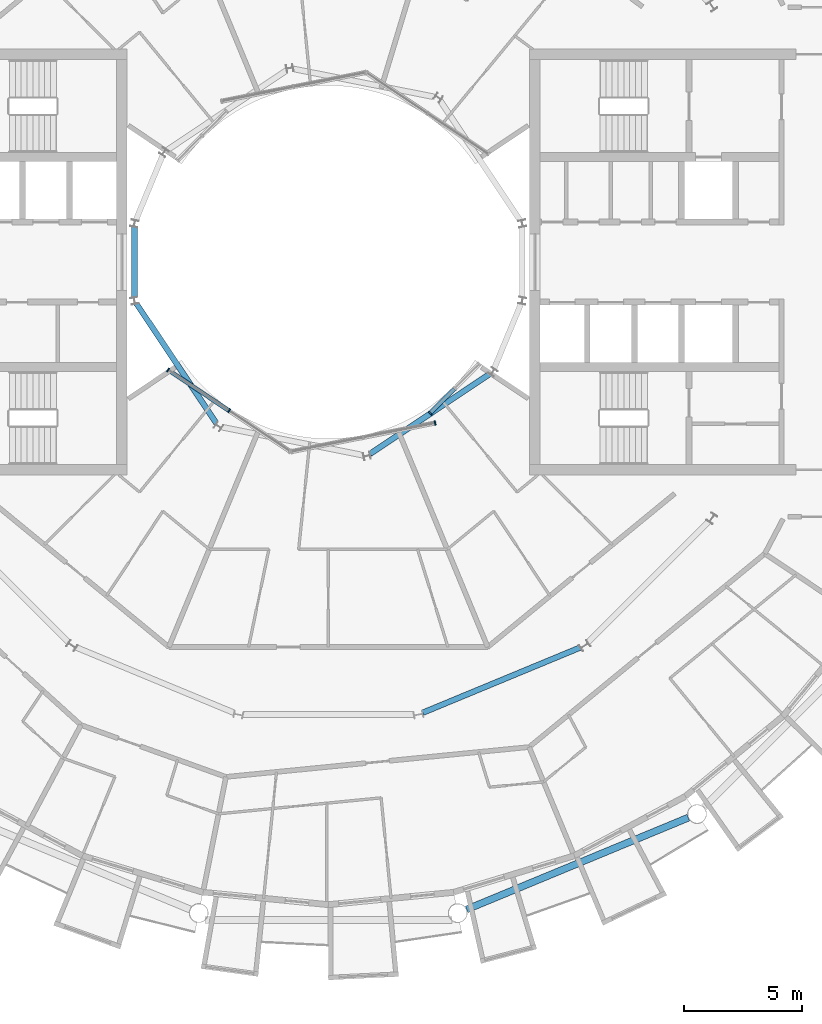
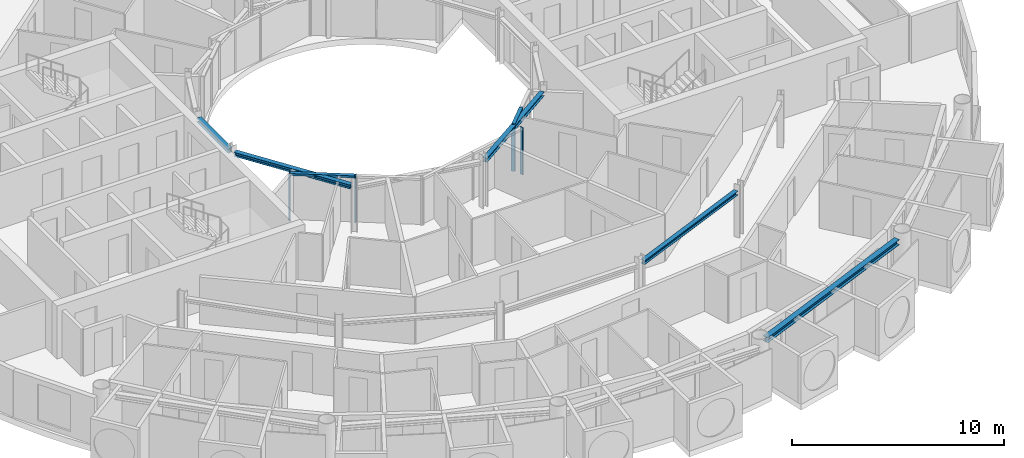
# One storey, part 7 of 29: 6 members, 5 beams, 3 elements without a shape of their own.
"""IFC4 building model written with IfcOpenShell, lengths in metres."""

import ifcopenshell
import ifcopenshell.guid

model = None  # the IFC model being written
_history = None  # IfcOwnerHistory: only IFC2X3 demands one
_inside = {}  # id of a spatial element -> (the spatial element, [elements in it])
_under = {}  # id of a project, library or spatial element -> (it, [spatial elements below it])
_declared = {}  # id of a project -> (the project, [libraries it declares])
_typed = {}  # id of a type object -> (the type object, [elements of that type])
_made_of = {}  # id of a material, layer set ... -> (it, [elements and type objects made of it])


def new_model(schema):
    """Start an empty IFC model of exactly this schema.

    Asked for "IFC4X3", IfcOpenShell would pick the latest addendum, in which some entities
    have other attributes; the version numbers below select the first issue.
    IFC2X3 requires an IfcOwnerHistory on every rooted entity: one is made here for all.
    """
    global model, _history
    if schema == "IFC4X3":
        model = ifcopenshell.file(schema_version=(4, 3, 0, 0))
    else:
        model = ifcopenshell.file(schema=schema)
    _inside.clear()
    _under.clear()
    _declared.clear()
    _typed.clear()
    _made_of.clear()
    _history = None
    if model.schema == "IFC2X3":
        org = make("IfcOrganization", Name="unknown")
        user = make(
            "IfcPersonAndOrganization",
            ThePerson=make("IfcPerson", FamilyName="unknown"),
            TheOrganization=org,
        )
        app = make(
            "IfcApplication",
            ApplicationDeveloper=org,
            Version="unknown",
            ApplicationFullName="unknown",
            ApplicationIdentifier="unknown",
        )
        _history = make(
            "IfcOwnerHistory",
            OwningUser=user,
            OwningApplication=app,
            ChangeAction="ADDED",
            CreationDate=0,
        )
    return model


def make(cls, **values):
    """One entity of the class cls with the attributes given. An attribute that is None is left unset."""
    return model.create_entity(
        cls, **{name: value for name, value in values.items() if value is not None}
    )


def rooted(cls, **values):
    """An entity with a GlobalId (a new one), such as an element, a storey or a relation."""
    return make(cls, GlobalId=ifcopenshell.guid.new(), OwnerHistory=_history, **values)


def si_unit(unit_type, name, prefix=None):
    """IfcSIUnit, for example si_unit("LENGTHUNIT", "METRE", prefix="MILLI")."""
    return make("IfcSIUnit", UnitType=unit_type, Prefix=prefix, Name=name)


def assignment(units):
    """IfcUnitAssignment: the units of a project."""
    return None if units is None else make("IfcUnitAssignment", Units=units)


def point(xyz):
    """IfcCartesianPoint."""
    return None if xyz is None else make("IfcCartesianPoint", Coordinates=xyz)


def direction(xyz):
    """IfcDirection."""
    return None if xyz is None else make("IfcDirection", DirectionRatios=xyz)


def frame(location, z_axis=None, x_axis=None):
    """IfcAxis2Placement3D, a coordinate frame: its origin and axes. An axis left out is left unset."""
    return make(
        "IfcAxis2Placement3D",
        Location=point(location),
        Axis=direction(z_axis),
        RefDirection=direction(x_axis),
    )


def frame_2d(location, x_axis=None):
    """IfcAxis2Placement2D, a coordinate frame in the plane: its origin and x axis."""
    return make(
        "IfcAxis2Placement2D", Location=point(location), RefDirection=direction(x_axis)
    )


def origin():
    """The frame at (0, 0, 0) with its axes left unset."""
    return frame((0.0, 0.0, 0.0))


def origin_2d():
    """The frame at (0, 0) in the plane with its x axis left unset."""
    return frame_2d((0.0, 0.0))


def place(relative_to, where):
    """IfcLocalPlacement: puts the frame where relative to a parent placement (None: the world)."""
    return make(
        "IfcLocalPlacement", PlacementRelTo=relative_to, RelativePlacement=where
    )


def context(
    kind, dimensions, precision=None, world=None, true_north=None, identifier=None
):
    """IfcGeometricRepresentationContext, for example the 3D "Model" context."""
    return make(
        "IfcGeometricRepresentationContext",
        ContextIdentifier=identifier,
        ContextType=kind,
        CoordinateSpaceDimension=dimensions,
        Precision=precision,
        WorldCoordinateSystem=world,
        TrueNorth=true_north,
    )


def subcontext(parent, identifier, kind, view, scale=None):
    """IfcGeometricRepresentationSubContext, for example "Body" below "Model"."""
    return make(
        "IfcGeometricRepresentationSubContext",
        ContextIdentifier=identifier,
        ContextType=kind,
        ParentContext=parent,
        TargetScale=scale,
        TargetView=view,
    )


def project(units=None, contexts=None):
    """IfcProject with its units and contexts."""
    return rooted(
        "IfcProject",
        Name="project",
        RepresentationContexts=contexts,
        UnitsInContext=assignment(units),
    )


def spatial(cls, under=None, at=None, **own):
    """A site, building, storey or space (cls), placed at a placement, below another one or the project."""
    s = rooted(cls, ObjectPlacement=at, **own)
    if under is not None:
        _under.setdefault(under.id(), (under, []))[1].append(s)
    return s


def profile(cls, at=None, kind="AREA", **sizes):
    """A parametric profile (cls). Its sizes go by their IFC names, for example OverallWidth=200.0."""
    return make(cls, ProfileType=kind, Position=at, **sizes)


def rectangle(**sizes):
    """IfcRectangleProfileDef."""
    return profile("IfcRectangleProfileDef", **sizes)


def i_section(**sizes):
    """IfcIShapeProfileDef."""
    return profile("IfcIShapeProfileDef", **sizes)


def extrude(swept, where, along, depth):
    """IfcExtrudedAreaSolid: the profile swept, set in the frame where, extruded along a direction by depth."""
    return make(
        "IfcExtrudedAreaSolid",
        SweptArea=swept,
        Position=where,
        ExtrudedDirection=direction(along),
        Depth=depth,
    )


def shape(context_of_items, identifier, shape_type, items):
    """IfcShapeRepresentation: the items that make up one representation, for example the "Body"."""
    return make(
        "IfcShapeRepresentation",
        ContextOfItems=context_of_items,
        RepresentationIdentifier=identifier,
        RepresentationType=shape_type,
        Items=items,
    )


def material(Name=None, Category=None):
    """IfcMaterial."""
    return make("IfcMaterial", Name=Name, Category=Category)


def layer(
    of_material, thickness, ventilated=None, Name=None, Category=None, Priority=None
):
    """IfcMaterialLayer: one layer of a wall or slab, of a material (None: an air gap)."""
    return make(
        "IfcMaterialLayer",
        Material=of_material,
        LayerThickness=thickness,
        IsVentilated=ventilated,
        Name=Name,
        Category=Category,
        Priority=Priority,
    )


def layer_set(layers, Name=None):
    """IfcMaterialLayerSet."""
    return make("IfcMaterialLayerSet", MaterialLayers=layers, LayerSetName=Name)


def material_profile(
    of_material, cross_section, Name=None, Category=None, Priority=None
):
    """IfcMaterialProfile: a cross section and its material."""
    return make(
        "IfcMaterialProfile",
        Name=Name,
        Material=of_material,
        Profile=cross_section,
        Priority=Priority,
        Category=Category,
    )


def profile_set(profiles, Name=None, composite=None):
    """IfcMaterialProfileSet."""
    return make(
        "IfcMaterialProfileSet",
        Name=Name,
        MaterialProfiles=profiles,
        CompositeProfile=composite,
    )


def made_of(thing, what):
    """Note that an element or type object is made of a material, layer set ...; save() writes the relation."""
    if what is not None:
        _made_of.setdefault(what.id(), (what, []))[1].append(thing)
    return thing


def type_object(cls, material=None, **own):
    """A type object (cls), such as IfcWallType, which elements share."""
    return made_of(rooted(cls, **own), material)


def element(
    cls,
    number,
    at=None,
    inside=None,
    cuts=None,
    type_object=None,
    material=None,
    context=None,
    identifier="Body",
    shape_type=None,
    held_by="IfcProductDefinitionShape",
    body=None,
    shapes=None,
    **own,
):
    """One element of the class cls, such as IfcWall. Its Tag is "e" and its number.

    at: its placement. inside: the storey or other place that contains it. cuts: it is an
    opening in that element (IfcRelVoidsElement). A single representation is given by context,
    identifier, shape_type and body (its items); several are given by shapes. held_by: the class
    of the entity that holds the representations. save() writes the other relations.
    """
    e = rooted(cls, Tag="e%d" % number, ObjectPlacement=at, **own)
    if body is not None:
        shapes = [shape(context, identifier, shape_type, body)]
    if shapes is not None:
        e.Representation = make(held_by, Representations=shapes)
    if inside is not None:
        _inside.setdefault(inside.id(), (inside, []))[1].append(e)
    if cuts is not None:
        rooted(
            "IfcRelVoidsElement", RelatingBuildingElement=cuts, RelatedOpeningElement=e
        )
    if type_object is not None:
        _typed.setdefault(type_object.id(), (type_object, []))[1].append(e)
    return made_of(e, material)


def aggregate(whole, parts):
    """IfcRelAggregates: a whole, such as a stair, and the parts it consists of."""
    return rooted("IfcRelAggregates", RelatingObject=whole, RelatedObjects=parts)


def save(model, path):
    """Write the relations noted so far, then the file.

    IfcRelAggregates (storeys below a building ...), IfcRelContainedInSpatialStructure (elements
    in a storey), IfcRelDefinesByType, IfcRelAssociatesMaterial and IfcRelDeclares: one each for
    every whole, place, type object, material and project.
    """
    for whole, parts in _under.values():
        aggregate(whole, parts)
    for where, things in _inside.values():
        rooted(
            "IfcRelContainedInSpatialStructure",
            RelatedElements=things,
            RelatingStructure=where,
        )
    for kind, things in _typed.values():
        rooted("IfcRelDefinesByType", RelatedObjects=things, RelatingType=kind)
    for what, things in _made_of.values():
        rooted("IfcRelAssociatesMaterial", RelatedObjects=things, RelatingMaterial=what)
    for by, libraries in _declared.values():
        rooted("IfcRelDeclares", RelatingContext=by, RelatedDefinitions=libraries)
    model.write(path)


model = new_model("IFC4")

# Units and contexts
model_context = context("Model", 3, precision=1e-05, world=origin(), true_north=direction((0.0, 1.0)))
body_context = subcontext(model_context, "Body", "Model", "MODEL_VIEW")
ifc_project = project(units=[si_unit("LENGTHUNIT", "METRE"), si_unit("AREAUNIT", "SQUARE_METRE"), si_unit("VOLUMEUNIT", "CUBIC_METRE"), si_unit("PLANEANGLEUNIT", "RADIAN"), si_unit("MASSUNIT", "GRAM", prefix="KILO")], contexts=[model_context])

# Site, building, storey
site_placement = place(None, origin())
site = spatial("IfcSite", under=ifc_project, at=site_placement, CompositionType="ELEMENT")
building_placement = place(site_placement, origin())
building = spatial("IfcBuilding", under=site, at=building_placement, Name="Maasbend Ring Residences", CompositionType="ELEMENT")
storey_placement = place(building_placement, frame((0.0, 0.0, 205.449951171875)))
storey = spatial("IfcBuildingStorey", under=building, at=storey_placement, Name="L59", CompositionType="ELEMENT", Elevation=205.449951171875)

# Curtain wall, members
ifc_material_1 = material(Name="Aluminium and clear glass", Category="aluminium")
ifc_layer = layer(ifc_material_1, 0.179931640625)
ifc_layer_set = layer_set([ifc_layer], Name="CW-W")
curtain_wall_type = type_object("IfcCurtainWallType", Name="CW-W", PredefinedType="NOTDEFINED", material=ifc_layer_set)
curtain_wall_1_placement = place(storey_placement, origin())
curtain_wall_1 = element("IfcCurtainWall", 1, at=curtain_wall_1_placement, inside=storey, type_object=curtain_wall_type, Name="Well curtain wall S1", PredefinedType="NOTDEFINED")
ifc_material_2 = material(Name="Aluminium 6063-T6", Category="aluminium")
ifc_material_profile_1 = material_profile(ifc_material_2, rectangle(XDim=0.179931640625, YDim=0.06005859375, at=origin_2d()), Name="AL 180x60")
ifc_profile_set_1 = profile_set([ifc_material_profile_1], Name="Aluminium 6063-T6")
member_type_1 = type_object("IfcMemberType", Name="CWM-W", PredefinedType="MULLION", material=ifc_profile_set_1)
member_1_placement = place(storey_placement, frame((-6.805908203125, -4.580810546875, 0.0), z_axis=(0.0, 0.0, 1.0), x_axis=(0.55557023302, 0.831469612303, 0.0)))
member_1 = element("IfcMember", 2, at=member_1_placement, type_object=member_type_1, Name="Mullion well face", PredefinedType="MULLION", context=body_context, shape_type="SweptSolid", body=[
    extrude(rectangle(XDim=0.179931640625, YDim=0.06005859375, at=origin_2d()), origin(), (0.0, 0.0, 1.0), 2.699951171875),
])
member_2_placement = place(storey_placement, frame((-4.216796875, -6.310791015625, 0.0), z_axis=(0.0, 0.0, 1.0), x_axis=(0.55557023302, 0.831469612303, 0.0)))
member_2 = element("IfcMember", 3, at=member_2_placement, type_object=member_type_1, Name="Mullion well face", PredefinedType="MULLION", context=body_context, shape_type="SweptSolid", body=[
    extrude(rectangle(XDim=0.179931640625, YDim=0.06005859375, at=origin_2d()), origin(), (0.0, 0.0, 1.0), 2.699951171875),
])

# Curtain wall, member
curtain_wall_2_placement = place(storey_placement, origin())
curtain_wall_2 = element("IfcCurtainWall", 4, at=curtain_wall_2_placement, inside=storey, type_object=curtain_wall_type, Name="Well curtain wall S2", PredefinedType="NOTDEFINED")
member_3_placement = place(storey_placement, frame((4.53466796875, -6.836669921875, 0.0), z_axis=(0.0, 0.0, 1.0), x_axis=(-0.195090322016, 0.980785280403, 0.0)))
member_3 = element("IfcMember", 5, at=member_3_placement, type_object=member_type_1, Name="Mullion well face", PredefinedType="MULLION", context=body_context, shape_type="SweptSolid", body=[
    extrude(rectangle(XDim=0.179931640625, YDim=0.06005859375, at=origin_2d()), origin(), (0.0, 0.0, 1.0), 2.699951171875),
])
aggregate(curtain_wall_2, [member_3])

curtain_wall_3_placement = place(storey_placement, origin())
curtain_wall_3 = element("IfcCurtainWall", 6, at=curtain_wall_3_placement, inside=storey, type_object=curtain_wall_type, Name="Well curtain wall S3", PredefinedType="NOTDEFINED")
member_4_placement = place(storey_placement, frame((4.320556640625, -6.413330078125, 0.0), z_axis=(0.0, 0.0, 1.0), x_axis=(-0.707106781187, 0.707106781187, 0.0)))
member_4 = element("IfcMember", 7, at=member_4_placement, type_object=member_type_1, Name="Mullion well face", PredefinedType="MULLION", context=body_context, shape_type="SweptSolid", body=[
    extrude(rectangle(XDim=0.179931640625, YDim=0.06005859375, at=origin_2d()), origin(), (0.0, 0.0, 1.0), 2.699951171875),
])

# Member
ifc_material_3 = material(Name="Aluminium 6063-T6", Category="aluminium")
ifc_material_profile_2 = material_profile(ifc_material_3, rectangle(XDim=0.179931640625, YDim=0.1201171875, at=origin_2d()), Name="AL 180x120")
ifc_profile_set_2 = profile_set([ifc_material_profile_2], Name="Aluminium 6063-T6")
member_type_2 = type_object("IfcMemberType", Name="CWT-W", PredefinedType="USERDEFINED", material=ifc_profile_set_2)
member_5_placement = place(storey_placement, frame((-6.781005859375, -4.59765625, 2.64013671875), z_axis=(0.831496422459, -0.555530106689, 0.0), x_axis=(0.555530106689, 0.831496422459, 0.0)))
member_5 = element("IfcMember", 8, at=member_5_placement, type_object=member_type_2, Name="Transom well face", ObjectType="TRANSOM", PredefinedType="USERDEFINED", context=body_context, shape_type="SweptSolid", body=[
    extrude(rectangle(XDim=0.179931640625, YDim=0.1201171875, at=origin_2d()), origin(), (0.0, 0.0, 1.0), 3.053955078125),
])

aggregate(curtain_wall_1, [member_1, member_2, member_5])

member_6_placement = place(storey_placement, frame((4.341796875, -6.39208984375, 2.64013671875), z_axis=(0.707106781187, 0.707106781187, 0.0), x_axis=(-0.707106781187, 0.707106781187, 0.0)))
member_6 = element("IfcMember", 9, at=member_6_placement, type_object=member_type_2, Name="Transom well face", ObjectType="TRANSOM", PredefinedType="USERDEFINED", context=body_context, shape_type="SweptSolid", body=[
    extrude(rectangle(XDim=0.179931640625, YDim=0.1201171875, at=origin_2d()), origin(), (0.0, 0.0, 1.0), 1.419677734375),
])

aggregate(curtain_wall_3, [member_4, member_6])

# Beams
ifc_material_4 = material(Name="Steel S355J2", Category="steel")
ifc_material_profile_3 = material_profile(ifc_material_4, i_section(OverallWidth=0.239990234375, OverallDepth=0.22998046875, WebThickness=0.007568359375, FlangeThickness=0.011962890625, FilletRadius=0.02099609375, at=origin_2d()), Name="HEA 240")
ifc_profile_set_3 = profile_set([ifc_material_profile_3], Name="Steel S355J2")
beam_type_1 = type_object("IfcBeamType", Name="Corridor ring beam HEA 240", PredefinedType="BEAM", material=ifc_profile_set_3)
beam_1_placement = place(storey_placement, frame((4.01220703125, -19.1455078125, 2.5849609375), z_axis=(0.923865162022, 0.382718123952, 0.0), x_axis=(-0.382718123952, 0.923865162022, 0.0)))
element("IfcBeam", 10, at=beam_1_placement, inside=storey, type_object=beam_type_1, Name="Corridor ring beam", PredefinedType="BEAM", context=body_context, shape_type="SweptSolid", body=[
    extrude(i_section(OverallWidth=0.239990234375, OverallDepth=0.22998046875, WebThickness=0.007568359375, FlangeThickness=0.011962890625, FilletRadius=0.02099609375, at=origin_2d()), origin(), (0.0, 0.0, 1.0), 7.23974609375),
])
ifc_material_5 = material(Name="Steel S355J2", Category="steel")
ifc_material_profile_4 = material_profile(ifc_material_5, i_section(OverallWidth=0.300048828125, OverallDepth=0.300048828125, WebThickness=0.010986328125, FlangeThickness=0.01904296875, FilletRadius=0.027099609375, at=origin_2d()), Name="HEB 300")
ifc_profile_set_4 = profile_set([ifc_material_profile_4], Name="Steel S355J2")
beam_type_2 = type_object("IfcBeamType", Name="Spandrel ring beam HEB 300", PredefinedType="SPANDREL", material=ifc_profile_set_4)
beam_2_placement = place(storey_placement, frame((5.877197265625, -27.50244140625, 2.550048828125), z_axis=(0.923883676188, 0.382673428492, 0.0), x_axis=(-0.382673428492, 0.923883676188, 0.0)))
element("IfcBeam", 11, at=beam_2_placement, inside=storey, type_object=beam_type_2, Name="Spandrel ring beam", PredefinedType="SPANDREL", context=body_context, shape_type="SweptSolid", body=[
    extrude(i_section(OverallWidth=0.300048828125, OverallDepth=0.300048828125, WebThickness=0.010986328125, FlangeThickness=0.01904296875, FilletRadius=0.027099609375, at=origin_2d()), origin(), (0.0, 0.0, 1.0), 10.18994140625),
])
ifc_material_6 = material(Name="Steel S355J2", Category="steel")
ifc_material_profile_5 = material_profile(ifc_material_6, i_section(OverallWidth=0.239990234375, OverallDepth=0.22998046875, WebThickness=0.007568359375, FlangeThickness=0.011962890625, FilletRadius=0.02099609375, at=origin_2d()), Name="HEA 240")
ifc_profile_set_5 = profile_set([ifc_material_profile_5], Name="Steel S355J2")
beam_type_3 = type_object("IfcBeamType", Name="Well edge beam HEA 240", PredefinedType="BEAM", material=ifc_profile_set_5)
beam_3_placement = place(storey_placement, frame((-8.238525390625, 1.490966796875, 2.5849609375), z_axis=(0.0, -1.0, 0.0), x_axis=(1.0, 0.0, 0.0)))
element("IfcBeam", 12, at=beam_3_placement, inside=storey, type_object=beam_type_3, Name="Well edge beam", PredefinedType="BEAM", context=body_context, shape_type="SweptSolid", body=[
    extrude(i_section(OverallWidth=0.239990234375, OverallDepth=0.22998046875, WebThickness=0.007568359375, FlangeThickness=0.011962890625, FilletRadius=0.02099609375, at=origin_2d()), origin(), (0.0, 0.0, 1.0), 2.98193359375),
])
for number, where, z_axis, x_axis, name in (
    (13, (-8.1513671875, -1.769287109375, 2.5849609375), (0.555584356119, -0.831460175376, 0.0), (0.831460175376, 0.555584356119, 0.0), "Well edge beam"),
    (14, (1.769287109375, -8.1513671875, 2.5849609375), (0.831460175376, 0.555584356119, 0.0), (-0.555584356119, 0.831460175376, 0.0), "Well edge beam"),
):
    element("IfcBeam", number, at=place(storey_placement, frame(where, z_axis=z_axis, x_axis=x_axis)), inside=storey, type_object=beam_type_3, Name=name, PredefinedType="BEAM", context=body_context, shape_type="SweptSolid", body=[
        extrude(i_section(OverallWidth=0.239990234375, OverallDepth=0.22998046875, WebThickness=0.007568359375, FlangeThickness=0.011962890625, FilletRadius=0.02099609375, at=origin_2d()), origin(), (0.0, 0.0, 1.0), 6.115234375),
    ])

save(model, "model.ifc")
